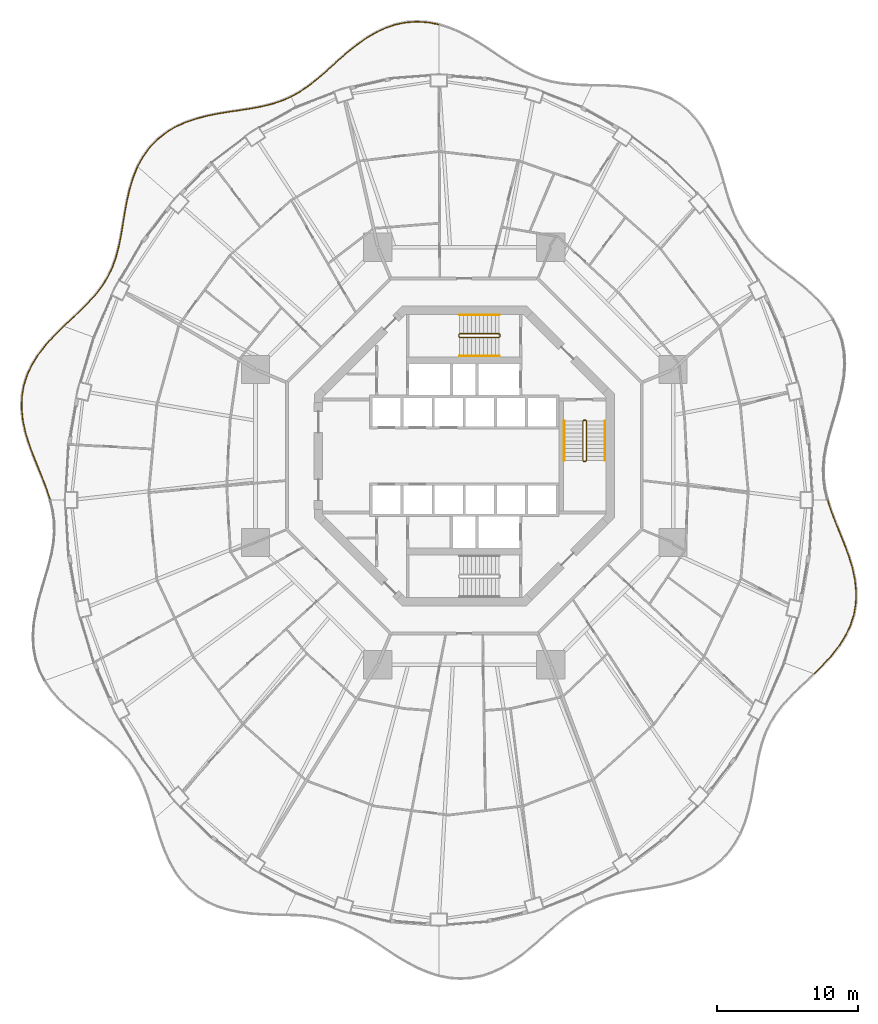
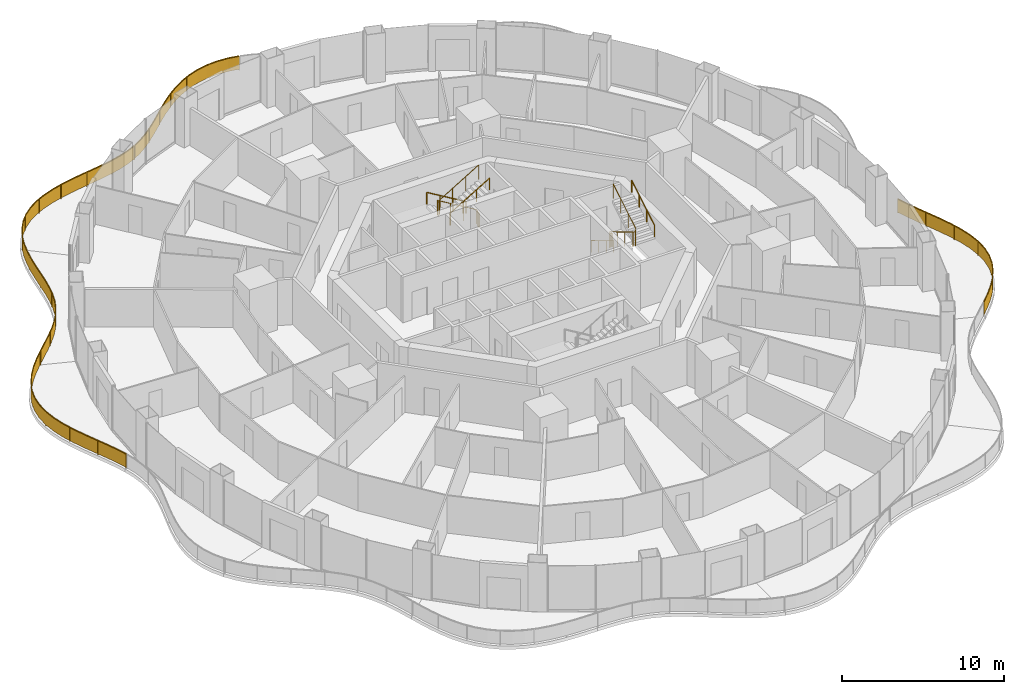
# One storey, part 20 of 21: 11 railings.
"""IFC4 building model written with IfcOpenShell, lengths in metres."""

from ifc_helpers import new_model, si_unit, direction, frame, origin, origin_2d, place, context, subcontext, project, spatial, polyline, rectangle, circle, outline, extrude, material, type_object, element, save


model = new_model("IFC4")

# Units and contexts
model_context = context("Model", 3, precision=1e-05, world=origin(), true_north=direction((0.0, 1.0)))
body_context = subcontext(model_context, "Body", "Model", "MODEL_VIEW")
ifc_project = project(units=[si_unit("LENGTHUNIT", "METRE"), si_unit("AREAUNIT", "SQUARE_METRE"), si_unit("VOLUMEUNIT", "CUBIC_METRE"), si_unit("PLANEANGLEUNIT", "RADIAN"), si_unit("MASSUNIT", "GRAM", prefix="KILO")], contexts=[model_context])

# Site, building, storey
site_placement = place(None, origin())
site = spatial("IfcSite", under=ifc_project, at=site_placement, CompositionType="ELEMENT")
building_placement = place(site_placement, origin())
building = spatial("IfcBuilding", under=site, at=building_placement, Name="Nagisa Residences", CompositionType="ELEMENT")
storey_placement = place(building_placement, frame((0.0, 0.0, 134.39990234375)))
storey = spatial("IfcBuildingStorey", under=building, at=storey_placement, Name="L33", CompositionType="ELEMENT", Elevation=134.39990234375)

# Railings
ifc_material_1 = material(Name="Stainless steel 316", Category="steel")
railing_type_1 = type_object("IfcRailingType", Name="BALCONY GUARD 1100", PredefinedType="BALUSTRADE", material=ifc_material_1)
railing_1_placement = place(storey_placement, frame((-1.837890625, 30.55859375, 0.0)))
element("IfcRailing", 1, at=railing_1_placement, inside=storey, type_object=railing_type_1, Name="guard:L33:bal04-0", PredefinedType="BALUSTRADE", context=body_context, shape_type="SweptSolid", body=[
    extrude(outline(polyline([(-0.7177734375, 0.115966796875), (-0.0048828125, -0.024658203125), (0.0048828125, 0.024658203125), (-0.71142578125, 0.165771484375), (-1.480224609375, 0.21826171875), (-2.245849609375, 0.169921875), (-3.000732421875, 0.020751953125), (-3.73681640625, -0.223876953125), (-4.434814453125, -0.55224609375), (-5.121826171875, -0.95703125), (-5.77978515625, -1.4189453125), (-6.409423828125, -1.920654296875), (-7.013916015625, -2.443115234375), (-7.58056640625, -2.962646484375), (-8.149658203125, -3.471923828125), (-8.712646484375, -3.950439453125), (-9.27734375, -4.386474609375), (-9.85302734375, -4.770751953125), (-10.41064453125, -5.079345703125), (-10.38623046875, -5.123291015625), (-9.8271484375, -4.813720703125), (-9.248046875, -4.427001953125), (-8.680908203125, -3.989501953125), (-8.116943359375, -3.509521484375), (-7.546875, -2.999755859375), (-6.980712890625, -2.480712890625), (-6.377685546875, -1.959228515625), (-5.75, -1.458984375), (-5.094482421875, -0.9990234375), (-4.411376953125, -0.5966796875), (-3.71826171875, -0.270263671875), (-2.988037109375, -0.027587890625), (-2.239501953125, 0.1201171875), (-1.480224609375, 0.16796875), (-0.7177734375, 0.115966796875)])), frame((0.0, 0.0, 1.050048828125)), (0.0, 0.0, 1.0), 0.050048828125),
    extrude(outline(polyline([(-0.715576171875, 0.134033203125), (-0.00146484375, -0.0068359375), (0.00146484375, 0.0068359375), (-0.713623046875, 0.147705078125), (-1.480224609375, 0.2001953125), (-2.24365234375, 0.15185546875), (-2.99609375, 0.00341796875), (-3.730224609375, -0.240478515625), (-4.42626953125, -0.568359375), (-5.112060546875, -0.97216796875), (-5.76904296875, -1.433349609375), (-6.39794921875, -1.9345703125), (-7.001953125, -2.456787109375), (-7.568359375, -2.97607421875), (-8.137939453125, -3.4853515625), (-8.701171875, -3.964599609375), (-9.266845703125, -4.401123046875), (-9.84375, -4.7861328125), (-10.40185546875, -5.09521484375), (-10.39501953125, -5.107421875), (-9.83642578125, -4.79833984375), (-9.258544921875, -4.412353515625), (-8.6923828125, -3.975341796875), (-8.128662109375, -3.49609375), (-7.55908203125, -2.986328125), (-6.99267578125, -2.467041015625), (-6.38916015625, -1.9453125), (-5.7607421875, -1.444580078125), (-5.104248046875, -0.98388671875), (-4.419921875, -0.58056640625), (-3.724853515625, -0.253662109375), (-2.99267578125, -0.01025390625), (-2.24169921875, 0.13818359375), (-1.480224609375, 0.18603515625), (-0.715576171875, 0.134033203125)])), frame((0.0, 0.0, 0.06005859375)), (0.0, 0.0, 1.0), 0.989990234375),
    extrude(rectangle(XDim=0.0400390625, YDim=0.0400390625, at=origin_2d()), origin(), (0.0, 0.0, 1.0), 1.050048828125),
    extrude(rectangle(XDim=0.0400390625, YDim=0.0400390625, at=origin_2d()), frame((-1.997802734375, 0.160400390625, 0.0)), (0.0, 0.0, 1.0), 1.050048828125),
    extrude(rectangle(XDim=0.0400390625, YDim=0.0400390625, at=origin_2d()), frame((-3.935791015625, -0.34521484375, 0.0)), (0.0, 0.0, 1.0), 1.050048828125),
    extrude(rectangle(XDim=0.0400390625, YDim=0.0400390625, at=origin_2d()), frame((-5.66552734375, -1.369140625, 0.0)), (0.0, 0.0, 1.0), 1.050048828125),
    extrude(rectangle(XDim=0.0400390625, YDim=0.0400390625, at=origin_2d()), frame((-7.211669921875, -2.658447265625, 0.0)), (0.0, 0.0, 1.0), 1.050048828125),
    extrude(rectangle(XDim=0.0400390625, YDim=0.0400390625, at=origin_2d()), frame((-8.722900390625, -3.989990234375, 0.0)), (0.0, 0.0, 1.0), 1.050048828125),
    extrude(rectangle(XDim=0.0400390625, YDim=0.0400390625, at=origin_2d()), frame((-10.3984375, -5.101318359375, 0.0)), (0.0, 0.0, 1.0), 1.050048828125),
])
railing_2_placement = place(storey_placement, frame((-12.2978515625, 25.4267578125, 0.0)))
element("IfcRailing", 2, at=railing_2_placement, inside=storey, type_object=railing_type_1, Name="guard:L33:bal05-0", PredefinedType="BALUSTRADE", context=body_context, shape_type="SweptSolid", body=[
    extrude(outline(polyline([(-0.597412109375, -0.288818359375), (0.010009765625, -0.02294921875), (-0.010009765625, 0.02294921875), (-0.615478515625, -0.241943359375), (-1.291748046875, -0.468017578125), (-2.0029296875, -0.646240234375), (-2.748779296875, -0.789306640625), (-3.524658203125, -0.912353515625), (-4.3095703125, -1.022705078125), (-5.121337890625, -1.156005859375), (-5.93310546875, -1.3203125), (-6.731201171875, -1.53076171875), (-7.500732421875, -1.80078125), (-8.216064453125, -2.12890625), (-8.88818359375, -2.543212890625), (-9.49462890625, -3.034423828125), (-10.02734375, -3.600830078125), (-10.48291015625, -4.236083984375), (-10.83740234375, -4.89013671875), (-10.79345703125, -4.9140625), (-10.4404296875, -4.262451171875), (-9.98876953125, -3.632568359375), (-9.46044921875, -3.071044921875), (-8.859375, -2.584228515625), (-8.192626953125, -2.17333984375), (-7.482177734375, -1.84716796875), (-6.716552734375, -1.57861328125), (-5.921875, -1.369140625), (-5.112548828125, -1.205322265625), (-4.30224609375, -1.072021484375), (-3.517333984375, -0.961669921875), (-2.739990234375, -0.838623046875), (-1.9921875, -0.695068359375), (-1.277587890625, -0.515869140625), (-0.597412109375, -0.288818359375)])), frame((0.0, 0.0, 1.050048828125)), (0.0, 0.0, 1.0), 0.050048828125),
    extrude(outline(polyline([(-0.60400390625, -0.27197265625), (0.002685546875, -0.00634765625), (-0.002685546875, 0.00634765625), (-0.60888671875, -0.2587890625), (-1.28662109375, -0.485107421875), (-1.9990234375, -0.663818359375), (-2.74560546875, -0.80712890625), (-3.52197265625, -0.93017578125), (-4.306884765625, -1.04052734375), (-5.1181640625, -1.173828125), (-5.92919921875, -1.337890625), (-6.725830078125, -1.548095703125), (-7.494140625, -1.8173828125), (-8.207763671875, -2.14501953125), (-8.8779296875, -2.55810546875), (-9.482421875, -3.047607421875), (-10.013427734375, -3.6123046875), (-10.467529296875, -4.24560546875), (-10.821533203125, -4.898681640625), (-10.809326171875, -4.905517578125), (-10.455810546875, -4.2529296875), (-10.002685546875, -3.62109375), (-9.47265625, -3.057861328125), (-8.86962890625, -2.5693359375), (-8.200927734375, -2.1572265625), (-7.48876953125, -1.83056640625), (-6.721923828125, -1.561279296875), (-5.92578125, -1.3515625), (-5.11572265625, -1.1875), (-4.304931640625, -1.05419921875), (-3.52001953125, -0.94384765625), (-2.7431640625, -0.82080078125), (-1.99609375, -0.677490234375), (-1.28271484375, -0.498779296875), (-0.60400390625, -0.27197265625)])), frame((0.0, 0.0, 0.06005859375)), (0.0, 0.0, 1.0), 0.989990234375),
    extrude(rectangle(XDim=0.0400390625, YDim=0.0400390625, at=origin_2d()), origin(), (0.0, 0.0, 1.0), 1.050048828125),
    extrude(rectangle(XDim=0.0400390625, YDim=0.0400390625, at=origin_2d()), frame((-1.950439453125, -0.658935546875, 0.0)), (0.0, 0.0, 1.0), 1.050048828125),
    extrude(rectangle(XDim=0.0400390625, YDim=0.0400390625, at=origin_2d()), frame((-3.984375, -1.002197265625, 0.0)), (0.0, 0.0, 1.0), 1.050048828125),
    extrude(rectangle(XDim=0.0400390625, YDim=0.0400390625, at=origin_2d()), frame((-6.014404296875, -1.36767578125, 0.0)), (0.0, 0.0, 1.0), 1.050048828125),
    extrude(rectangle(XDim=0.0400390625, YDim=0.0400390625, at=origin_2d()), frame((-7.960693359375, -2.039306640625, 0.0)), (0.0, 0.0, 1.0), 1.050048828125),
    extrude(rectangle(XDim=0.0400390625, YDim=0.0400390625, at=origin_2d()), frame((-9.636474609375, -3.2216796875, 0.0)), (0.0, 0.0, 1.0), 1.050048828125),
    extrude(rectangle(XDim=0.0400390625, YDim=0.0400390625, at=origin_2d()), frame((-10.8154296875, -4.902099609375, 0.0)), (0.0, 0.0, 1.0), 1.050048828125),
])
railing_3_placement = place(storey_placement, frame((-23.145751953125, 20.454345703125, 0.0)))
element("IfcRailing", 3, at=railing_3_placement, inside=storey, type_object=railing_type_1, Name="guard:L33:bal06-0", PredefinedType="BALUSTRADE", context=body_context, shape_type="SweptSolid", body=[
    extrude(outline(polyline([(-0.275634765625, -0.744873046875), (0.023193359375, -0.009521484375), (-0.023193359375, 0.009521484375), (-0.322998046875, -0.728271484375), (-0.572509765625, -1.546875), (-0.766357421875, -2.386962890625), (-0.922119140625, -3.232177734375), (-1.058837890625, -4.068115234375), (-1.188720703125, -4.86865234375), (-1.34814453125, -5.649169921875), (-1.54638671875, -6.391357421875), (-1.7978515625, -7.0927734375), (-2.11279296875, -7.753662109375), (-2.489990234375, -8.3662109375), (-2.94189453125, -8.963134765625), (-3.45654296875, -9.540771484375), (-4.02197265625, -10.109375), (-4.622314453125, -10.6787109375), (-5.206787109375, -11.22705078125), (-5.172607421875, -11.263671875), (-4.588134765625, -10.71533203125), (-3.98681640625, -10.14501953125), (-3.419921875, -9.574951171875), (-2.9033203125, -8.994873046875), (-2.448486328125, -8.39453125), (-2.06884765625, -7.777587890625), (-1.75146484375, -7.11181640625), (-1.49853515625, -6.406494140625), (-1.29931640625, -5.660888671875), (-1.139404296875, -4.87744140625), (-1.009521484375, -4.075927734375), (-0.872802734375, -3.240966796875), (-0.717529296875, -2.397216796875), (-0.524169921875, -1.56005859375), (-0.275634765625, -0.744873046875)])), frame((0.0, 0.0, 1.050048828125)), (0.0, 0.0, 1.0), 0.050048828125),
    extrude(outline(polyline([(-0.292724609375, -0.739013671875), (0.006591796875, -0.002685546875), (-0.006591796875, 0.002685546875), (-0.305908203125, -0.734130859375), (-0.55517578125, -1.5517578125), (-0.748779296875, -2.390625), (-0.904296875, -3.2353515625), (-1.041015625, -4.07080078125), (-1.1708984375, -4.871826171875), (-1.33056640625, -5.6533203125), (-1.529052734375, -6.396728515625), (-1.78125, -7.099609375), (-2.096923828125, -7.76220703125), (-2.47509765625, -8.37646484375), (-2.927978515625, -8.974609375), (-3.443359375, -9.552978515625), (-4.00927734375, -10.1220703125), (-4.610107421875, -10.69189453125), (-5.194580078125, -11.240234375), (-5.184814453125, -11.25048828125), (-4.600341796875, -10.7021484375), (-3.99951171875, -10.13232421875), (-3.43310546875, -9.562744140625), (-2.917236328125, -8.9833984375), (-2.46337890625, -8.38427734375), (-2.084716796875, -7.76904296875), (-1.76806640625, -7.10498046875), (-1.515869140625, -6.401123046875), (-1.31689453125, -5.65673828125), (-1.1572265625, -4.874267578125), (-1.02734375, -4.0732421875), (-0.890625, -3.23779296875), (-0.735107421875, -2.3935546875), (-0.54150390625, -1.55517578125), (-0.292724609375, -0.739013671875)])), frame((0.0, 0.0, 0.06005859375)), (0.0, 0.0, 1.0), 0.989990234375),
    extrude(rectangle(XDim=0.0400390625, YDim=0.0400390625, at=origin_2d()), origin(), (0.0, 0.0, 1.0), 1.050048828125),
    extrude(rectangle(XDim=0.0400390625, YDim=0.0400390625, at=origin_2d()), frame((-0.65576171875, -2.018310546875, 0.0)), (0.0, 0.0, 1.0), 1.050048828125),
    extrude(rectangle(XDim=0.0400390625, YDim=0.0400390625, at=origin_2d()), frame((-1.0400390625, -4.10888671875, 0.0)), (0.0, 0.0, 1.0), 1.050048828125),
    extrude(rectangle(XDim=0.0400390625, YDim=0.0400390625, at=origin_2d()), frame((-1.466796875, -6.190185546875, 0.0)), (0.0, 0.0, 1.0), 1.050048828125),
    extrude(rectangle(XDim=0.0400390625, YDim=0.0400390625, at=origin_2d()), frame((-2.315185546875, -8.130126953125, 0.0)), (0.0, 0.0, 1.0), 1.050048828125),
    extrude(rectangle(XDim=0.0400390625, YDim=0.0400390625, at=origin_2d()), frame((-3.654052734375, -9.77490234375, 0.0)), (0.0, 0.0, 1.0), 1.050048828125),
    extrude(rectangle(XDim=0.0400390625, YDim=0.0400390625, at=origin_2d()), frame((-5.189697265625, -11.245361328125, 0.0)), (0.0, 0.0, 1.0), 1.050048828125),
])
railing_4_placement = place(storey_placement, frame((-28.3916015625, 9.15673828125, 0.0)))
element("IfcRailing", 4, at=railing_4_placement, inside=storey, type_object=railing_type_1, Name="guard:L33:bal07-0", PredefinedType="BALUSTRADE", context=body_context, shape_type="SweptSolid", body=[
    extrude(outline(polyline([(-0.579345703125, -0.604248046875), (0.017578125, -0.017822265625), (-0.017578125, 0.017822265625), (-0.615478515625, -0.569580078125), (-1.210693359375, -1.219482421875), (-1.7490234375, -1.9033203125), (-2.2080078125, -2.623291015625), (-2.56982421875, -3.37890625), (-2.81884765625, -4.15283203125), (-2.954833984375, -4.96630859375), (-2.97607421875, -5.798095703125), (-2.8896484375, -6.64013671875), (-2.710205078125, -7.484375), (-2.45556640625, -8.3095703125), (-2.152587890625, -9.13720703125), (-1.8251953125, -9.94970703125), (-1.5, -10.7451171875), (-1.202392578125, -11.523681640625), (-0.966064453125, -12.248291015625), (-0.918701171875, -12.232666015625), (-1.155029296875, -11.507080078125), (-1.45361328125, -10.7265625), (-1.77880859375, -9.9306640625), (-2.105712890625, -9.119140625), (-2.408203125, -8.29345703125), (-2.661865234375, -7.4716796875), (-2.84033203125, -6.63232421875), (-2.92578125, -5.796142578125), (-2.905029296875, -4.97119140625), (-2.77001953125, -4.16455078125), (-2.5234375, -3.3974609375), (-2.1640625, -2.647705078125), (-1.7080078125, -1.93212890625), (-1.172607421875, -1.251708984375), (-0.579345703125, -0.604248046875)])), frame((0.0, 0.0, 1.050048828125)), (0.0, 0.0, 1.0), 0.050048828125),
    extrude(outline(polyline([(-0.59228515625, -0.591796875), (0.0048828125, -0.0048828125), (-0.0048828125, 0.0048828125), (-0.6025390625, -0.58203125), (-1.197021484375, -1.23095703125), (-1.734130859375, -1.91357421875), (-2.192138671875, -2.632080078125), (-2.55322265625, -3.385498046875), (-2.80126953125, -4.156982421875), (-2.93701171875, -4.968017578125), (-2.9580078125, -5.79736328125), (-2.871826171875, -6.63720703125), (-2.69287109375, -7.479736328125), (-2.4384765625, -8.3037109375), (-2.1357421875, -9.130615234375), (-1.80859375, -9.94287109375), (-1.4833984375, -10.738525390625), (-1.185302734375, -11.517822265625), (-0.948974609375, -12.24267578125), (-0.935791015625, -12.23828125), (-1.172119140625, -11.512939453125), (-1.47021484375, -10.733154296875), (-1.79541015625, -9.9375), (-2.12255859375, -9.125732421875), (-2.42529296875, -8.29931640625), (-2.67919921875, -7.476318359375), (-2.858154296875, -6.63525390625), (-2.94384765625, -5.796875), (-2.9228515625, -4.969482421875), (-2.78759765625, -4.160400390625), (-2.5400390625, -3.390869140625), (-2.179931640625, -2.638916015625), (-1.722900390625, -1.921875), (-1.186279296875, -1.240234375), (-0.59228515625, -0.591796875)])), frame((0.0, 0.0, 0.06005859375)), (0.0, 0.0, 1.0), 0.989990234375),
    extrude(rectangle(XDim=0.0400390625, YDim=0.0400390625, at=origin_2d()), origin(), (0.0, 0.0, 1.0), 1.050048828125),
    extrude(rectangle(XDim=0.0400390625, YDim=0.0400390625, at=origin_2d()), frame((-1.52197265625, -1.655517578125, 0.0)), (0.0, 0.0, 1.0), 1.050048828125),
    extrude(rectangle(XDim=0.0400390625, YDim=0.0400390625, at=origin_2d()), frame((-2.61767578125, -3.60888671875, 0.0)), (0.0, 0.0, 1.0), 1.050048828125),
    extrude(rectangle(XDim=0.0400390625, YDim=0.0400390625, at=origin_2d()), frame((-2.948486328125, -5.821044921875, 0.0)), (0.0, 0.0, 1.0), 1.050048828125),
    extrude(rectangle(XDim=0.0400390625, YDim=0.0400390625, at=origin_2d()), frame((-2.517578125, -8.02392578125, 0.0)), (0.0, 0.0, 1.0), 1.050048828125),
    extrude(rectangle(XDim=0.0400390625, YDim=0.0400390625, at=origin_2d()), frame((-1.724365234375, -10.130126953125, 0.0)), (0.0, 0.0, 1.0), 1.050048828125),
    extrude(rectangle(XDim=0.0400390625, YDim=0.0400390625, at=origin_2d()), frame((-0.9423828125, -12.240478515625, 0.0)), (0.0, 0.0, 1.0), 1.050048828125),
])
railing_5_placement = place(storey_placement, frame((24.791748046875, -15.39208984375, 0.0)))
element("IfcRailing", 5, at=railing_5_placement, inside=storey, type_object=railing_type_1, Name="guard:L33:bal15-0", PredefinedType="BALUSTRADE", context=body_context, shape_type="SweptSolid", body=[
    extrude(outline(polyline([(0.5791015625, 0.604248046875), (-0.017578125, 0.017822265625), (0.017578125, -0.017822265625), (0.615234375, 0.569580078125), (1.21044921875, 1.219482421875), (1.7490234375, 1.9033203125), (2.2080078125, 2.623291015625), (2.569580078125, 3.37890625), (2.818603515625, 4.15283203125), (2.954833984375, 4.966064453125), (2.97607421875, 5.798095703125), (2.8896484375, 6.64013671875), (2.710205078125, 7.484375), (2.45556640625, 8.3095703125), (2.15234375, 9.13720703125), (1.824951171875, 9.94970703125), (1.499755859375, 10.744873046875), (1.2021484375, 11.5234375), (0.9658203125, 12.248291015625), (0.91845703125, 12.232666015625), (1.15478515625, 11.5068359375), (1.453369140625, 10.726318359375), (1.778564453125, 9.9306640625), (2.10546875, 9.119140625), (2.408203125, 8.29345703125), (2.661865234375, 7.4716796875), (2.84033203125, 6.63232421875), (2.92578125, 5.796142578125), (2.905029296875, 4.970947265625), (2.769775390625, 4.16455078125), (2.523193359375, 3.3974609375), (2.1640625, 2.647705078125), (1.7080078125, 1.93212890625), (1.17236328125, 1.251708984375), (0.5791015625, 0.604248046875)])), frame((0.0, 0.0, 1.050048828125)), (0.0, 0.0, 1.0), 0.050048828125),
    extrude(outline(polyline([(0.592041015625, 0.591796875), (-0.0048828125, 0.0048828125), (0.0048828125, -0.0048828125), (0.602294921875, 0.58203125), (1.19677734375, 1.23095703125), (1.734130859375, 1.91357421875), (2.192138671875, 2.632080078125), (2.552978515625, 3.385498046875), (2.801025390625, 4.156982421875), (2.93701171875, 4.9677734375), (2.9580078125, 5.79736328125), (2.871826171875, 6.63720703125), (2.69287109375, 7.479736328125), (2.4384765625, 8.3037109375), (2.135498046875, 9.130615234375), (1.808349609375, 9.94287109375), (1.483154296875, 10.73828125), (1.18505859375, 11.517578125), (0.94873046875, 12.24267578125), (0.935546875, 12.23828125), (1.171875, 11.5126953125), (1.469970703125, 10.73291015625), (1.795166015625, 9.9375), (2.122314453125, 9.125732421875), (2.42529296875, 8.29931640625), (2.67919921875, 7.476318359375), (2.858154296875, 6.63525390625), (2.94384765625, 5.796875), (2.9228515625, 4.96923828125), (2.787353515625, 4.160400390625), (2.539794921875, 3.390869140625), (2.179931640625, 2.638916015625), (1.722900390625, 1.921875), (1.18603515625, 1.240234375), (0.592041015625, 0.591796875)])), frame((0.0, 0.0, 0.06005859375)), (0.0, 0.0, 1.0), 0.989990234375),
    extrude(rectangle(XDim=0.0400390625, YDim=0.0400390625, at=origin_2d()), origin(), (0.0, 0.0, 1.0), 1.050048828125),
    extrude(rectangle(XDim=0.0400390625, YDim=0.0400390625, at=origin_2d()), frame((1.52197265625, 1.655517578125, 0.0)), (0.0, 0.0, 1.0), 1.050048828125),
    extrude(rectangle(XDim=0.0400390625, YDim=0.0400390625, at=origin_2d()), frame((2.617431640625, 3.609130859375, 0.0)), (0.0, 0.0, 1.0), 1.050048828125),
    extrude(rectangle(XDim=0.0400390625, YDim=0.0400390625, at=origin_2d()), frame((2.948486328125, 5.821044921875, 0.0)), (0.0, 0.0, 1.0), 1.050048828125),
    extrude(rectangle(XDim=0.0400390625, YDim=0.0400390625, at=origin_2d()), frame((2.517578125, 8.024169921875, 0.0)), (0.0, 0.0, 1.0), 1.050048828125),
    extrude(rectangle(XDim=0.0400390625, YDim=0.0400390625, at=origin_2d()), frame((1.72412109375, 10.130126953125, 0.0)), (0.0, 0.0, 1.0), 1.050048828125),
    extrude(rectangle(XDim=0.0400390625, YDim=0.0400390625, at=origin_2d()), frame((0.942138671875, 12.240478515625, 0.0)), (0.0, 0.0, 1.0), 1.050048828125),
])
ifc_material_2 = material(Name="Stainless steel", Category="steel")
railing_type_2 = type_object("IfcRailingType", Name="Stair guard 1100", PredefinedType="GUARDRAIL", material=ifc_material_2)
railing_6_placement = place(storey_placement, frame((8.599609375, 2.52490234375, 0.0)))
element("IfcRailing", 6, at=railing_6_placement, inside=storey, type_object=railing_type_2, Name="L33 ST-E stair guard 1", PredefinedType="GUARDRAIL", context=body_context, shape_type="SweptSolid", body=[
    extrude(circle(Radius=0.02392578125, at=origin_2d()), frame((0.0, 0.0, 1.076171875), z_axis=(-1.0, 0.0, 0.0), x_axis=(0.0, -1.0, 0.0)), (0.0, 0.0, 1.0), 0.14990234375),
    extrude(circle(Radius=0.02392578125, at=origin_2d()), frame((-0.14990234375, 0.0, 1.076171875), z_axis=(-0.27434429532, -0.273006030465, 0.922064485248), x_axis=(0.705375805398, -0.708833529934, 0.0)), (0.0, 0.0, 1.0), 0.182373046875),
    extrude(circle(Radius=0.02392578125, at=origin_2d()), frame((-0.199951171875, -0.0498046875, 1.244140625), z_axis=(0.0, -0.857242210791, 0.514913383045), x_axis=(1.0, 0.0, 0.0)), (0.0, 0.0, 1.0), 3.266357421875),
    extrude(circle(Radius=0.02392578125, at=origin_2d()), frame((-0.199951171875, -2.849853515625, 2.92626953125), z_axis=(0.707106781187, -0.707106781187, 0.0), x_axis=(0.707106781187, 0.707106781187, 0.0)), (0.0, 0.0, 1.0), 0.07080078125),
    extrude(circle(Radius=0.02392578125, at=origin_2d()), frame((-0.14990234375, -2.89990234375, 2.92626953125), z_axis=(1.0, 0.0, 0.0), x_axis=(0.0, 1.0, 0.0)), (0.0, 0.0, 1.0), 0.14990234375),
    extrude(circle(Radius=0.02392578125, at=origin_2d()), frame((0.0, -2.89990234375, 2.92626953125), z_axis=(0.274243871929, 0.274243871929, 0.92172696468), x_axis=(-0.707106781187, 0.707106781187, 0.0)), (0.0, 0.0, 1.0), 0.1826171875),
    extrude(circle(Radius=0.02392578125, at=origin_2d()), frame((0.050048828125, -2.849853515625, 3.09423828125), z_axis=(0.0, 0.857242210791, 0.514913383045), x_axis=(-1.0, 0.0, 0.0)), (0.0, 0.0, 1.0), 3.266357421875),
    extrude(circle(Radius=0.02099609375, at=origin_2d()), origin(), (0.0, 0.0, 1.0), 1.052001953125),
    extrude(circle(Radius=0.02099609375, at=origin_2d()), frame((-0.14990234375, 0.0, 0.0)), (0.0, 0.0, 1.0), 1.052001953125),
    extrude(circle(Radius=0.02099609375, at=origin_2d()), frame((-0.199951171875, -0.0498046875, 0.168212890625)), (0.0, 0.0, 1.0), 1.052001953125),
    extrude(circle(Radius=0.02099609375, at=origin_2d()), frame((-0.199951171875, -0.983154296875, 0.728759765625)), (0.0, 0.0, 1.0), 1.052001953125),
    extrude(circle(Radius=0.02099609375, at=origin_2d()), frame((-0.199951171875, -1.91650390625, 1.28955078125)), (0.0, 0.0, 1.0), 1.052001953125),
    extrude(circle(Radius=0.02099609375, at=origin_2d()), frame((-0.199951171875, -2.849853515625, 1.85009765625)), (0.0, 0.0, 1.0), 1.052001953125),
    extrude(circle(Radius=0.02099609375, at=origin_2d()), frame((-0.14990234375, -2.89990234375, 1.85009765625)), (0.0, 0.0, 1.0), 1.052001953125),
    extrude(circle(Radius=0.02099609375, at=origin_2d()), frame((0.0, -2.89990234375, 1.85009765625)), (0.0, 0.0, 1.0), 1.052001953125),
    extrude(circle(Radius=0.02099609375, at=origin_2d()), frame((0.050048828125, -2.849853515625, 2.018310546875)), (0.0, 0.0, 1.0), 1.052001953125),
    extrude(circle(Radius=0.02099609375, at=origin_2d()), frame((0.050048828125, -1.91650390625, 2.578857421875)), (0.0, 0.0, 1.0), 1.052001953125),
    extrude(circle(Radius=0.02099609375, at=origin_2d()), frame((0.050048828125, -0.983154296875, 3.1396484375)), (0.0, 0.0, 1.0), 1.052001953125),
    extrude(circle(Radius=0.02099609375, at=origin_2d()), frame((0.050048828125, -0.0498046875, 3.7001953125)), (0.0, 0.0, 1.0), 1.052001953125),
])
railing_7_placement = place(storey_placement, frame((2.52490234375, 8.44970703125, 0.0)))
element("IfcRailing", 7, at=railing_7_placement, inside=storey, type_object=railing_type_2, Name="L33 ST-N stair guard 1", PredefinedType="GUARDRAIL", context=body_context, shape_type="SweptSolid", body=[
    extrude(circle(Radius=0.02392578125, at=origin_2d()), frame((0.0, 0.0, 1.076171875), z_axis=(0.0, 1.0, 0.0), x_axis=(-1.0, 0.0, 0.0)), (0.0, 0.0, 1.0), 0.14990234375),
    extrude(circle(Radius=0.02392578125, at=origin_2d()), frame((0.0, 0.14990234375, 1.076171875), z_axis=(-0.273006030465, 0.27434429532, 0.922064485248), x_axis=(-0.708833529934, -0.705375805398, 0.0)), (0.0, 0.0, 1.0), 0.182373046875),
    extrude(circle(Radius=0.02392578125, at=origin_2d()), frame((-0.0498046875, 0.199951171875, 1.244140625), z_axis=(-0.857242210791, 0.0, 0.514913383045), x_axis=(0.0, -1.0, 0.0)), (0.0, 0.0, 1.0), 3.266357421875),
    extrude(circle(Radius=0.02392578125, at=origin_2d()), frame((-2.849853515625, 0.199951171875, 2.92626953125), z_axis=(-0.707106781187, -0.707106781187, 0.0), x_axis=(0.707106781187, -0.707106781187, 0.0)), (0.0, 0.0, 1.0), 0.07080078125),
    extrude(circle(Radius=0.02392578125, at=origin_2d()), frame((-2.89990234375, 0.14990234375, 2.92626953125), z_axis=(0.0, -1.0, 0.0), x_axis=(1.0, 0.0, 0.0)), (0.0, 0.0, 1.0), 0.14990234375),
    extrude(circle(Radius=0.02392578125, at=origin_2d()), frame((-2.89990234375, 0.0, 2.92626953125), z_axis=(0.274243871929, -0.274243871929, 0.92172696468), x_axis=(0.707106781187, 0.707106781187, 0.0)), (0.0, 0.0, 1.0), 0.1826171875),
    extrude(circle(Radius=0.02392578125, at=origin_2d()), frame((-2.849853515625, -0.050048828125, 3.09423828125), z_axis=(0.857242210791, 0.0, 0.514913383045), x_axis=(0.0, 1.0, 0.0)), (0.0, 0.0, 1.0), 3.266357421875),
    extrude(circle(Radius=0.02099609375, at=origin_2d()), origin(), (0.0, 0.0, 1.0), 1.052001953125),
    extrude(circle(Radius=0.02099609375, at=origin_2d()), frame((0.0, 0.14990234375, 0.0)), (0.0, 0.0, 1.0), 1.052001953125),
    extrude(circle(Radius=0.02099609375, at=origin_2d()), frame((-0.0498046875, 0.199951171875, 0.168212890625)), (0.0, 0.0, 1.0), 1.052001953125),
    extrude(circle(Radius=0.02099609375, at=origin_2d()), frame((-0.983154296875, 0.199951171875, 0.728759765625)), (0.0, 0.0, 1.0), 1.052001953125),
    extrude(circle(Radius=0.02099609375, at=origin_2d()), frame((-1.91650390625, 0.199951171875, 1.28955078125)), (0.0, 0.0, 1.0), 1.052001953125),
    extrude(circle(Radius=0.02099609375, at=origin_2d()), frame((-2.849853515625, 0.199951171875, 1.85009765625)), (0.0, 0.0, 1.0), 1.052001953125),
    extrude(circle(Radius=0.02099609375, at=origin_2d()), frame((-2.89990234375, 0.14990234375, 1.85009765625)), (0.0, 0.0, 1.0), 1.052001953125),
    extrude(circle(Radius=0.02099609375, at=origin_2d()), frame((-2.89990234375, 0.0, 1.85009765625)), (0.0, 0.0, 1.0), 1.052001953125),
    extrude(circle(Radius=0.02099609375, at=origin_2d()), frame((-2.849853515625, -0.050048828125, 2.018310546875)), (0.0, 0.0, 1.0), 1.052001953125),
    extrude(circle(Radius=0.02099609375, at=origin_2d()), frame((-1.91650390625, -0.050048828125, 2.578857421875)), (0.0, 0.0, 1.0), 1.052001953125),
    extrude(circle(Radius=0.02099609375, at=origin_2d()), frame((-0.983154296875, -0.050048828125, 3.1396484375)), (0.0, 0.0, 1.0), 1.052001953125),
    extrude(circle(Radius=0.02099609375, at=origin_2d()), frame((-0.0498046875, -0.050048828125, 3.7001953125)), (0.0, 0.0, 1.0), 1.052001953125),
])
ifc_material_3 = material(Name="Stainless steel", Category="steel")
railing_type_3 = type_object("IfcRailingType", Name="Stair handrail 900", PredefinedType="HANDRAIL", material=ifc_material_3)
railing_8_placement = place(storey_placement, frame((7.07470703125, 2.47509765625, 0.168212890625)))
element("IfcRailing", 8, at=railing_8_placement, inside=storey, type_object=railing_type_3, Name="L33 ST-E stair handrail 1", PredefinedType="HANDRAIL", context=body_context, shape_type="SweptSolid", body=[
    extrude(circle(Radius=0.02392578125, at=origin_2d()), frame((0.0, 0.0, 0.8759765625), z_axis=(0.0, -0.857242210791, 0.514913383045), x_axis=(1.0, 0.0, 0.0)), (0.0, 0.0, 1.0), 3.266357421875),
    extrude(circle(Radius=0.02099609375, at=origin_2d()), origin(), (0.0, 0.0, 1.0), 0.851806640625),
    extrude(circle(Radius=0.02099609375, at=origin_2d()), frame((0.0, -0.933349609375, 0.560546875)), (0.0, 0.0, 1.0), 0.851806640625),
    extrude(circle(Radius=0.02099609375, at=origin_2d()), frame((0.0, -1.86669921875, 1.121337890625)), (0.0, 0.0, 1.0), 0.851806640625),
    extrude(circle(Radius=0.02099609375, at=origin_2d()), frame((0.0, -2.800048828125, 1.681884765625)), (0.0, 0.0, 1.0), 0.851806640625),
])
railing_9_placement = place(storey_placement, frame((9.974609375, -0.324951171875, 2.018310546875)))
element("IfcRailing", 9, at=railing_9_placement, inside=storey, type_object=railing_type_3, Name="L33 ST-E stair handrail 2", PredefinedType="HANDRAIL", context=body_context, shape_type="SweptSolid", body=[
    extrude(circle(Radius=0.02392578125, at=origin_2d()), frame((0.0, 0.0, 0.8759765625), z_axis=(0.0, 0.857242210791, 0.514913383045), x_axis=(-1.0, 0.0, 0.0)), (0.0, 0.0, 1.0), 3.266357421875),
    extrude(circle(Radius=0.02099609375, at=origin_2d()), origin(), (0.0, 0.0, 1.0), 0.851806640625),
    extrude(circle(Radius=0.02099609375, at=origin_2d()), frame((0.0, 0.933349609375, 0.560546875)), (0.0, 0.0, 1.0), 0.851806640625),
    extrude(circle(Radius=0.02099609375, at=origin_2d()), frame((0.0, 1.86669921875, 1.121337890625)), (0.0, 0.0, 1.0), 0.851806640625),
    extrude(circle(Radius=0.02099609375, at=origin_2d()), frame((0.0, 2.800048828125, 1.681884765625)), (0.0, 0.0, 1.0), 0.851806640625),
])
railing_10_placement = place(storey_placement, frame((2.47509765625, 9.974609375, 0.168212890625)))
element("IfcRailing", 10, at=railing_10_placement, inside=storey, type_object=railing_type_3, Name="L33 ST-N stair handrail 1", PredefinedType="HANDRAIL", context=body_context, shape_type="SweptSolid", body=[
    extrude(circle(Radius=0.02392578125, at=origin_2d()), frame((0.0, 0.0, 0.8759765625), z_axis=(-0.857242210791, 0.0, 0.514913383045), x_axis=(0.0, -1.0, 0.0)), (0.0, 0.0, 1.0), 3.266357421875),
    extrude(circle(Radius=0.02099609375, at=origin_2d()), origin(), (0.0, 0.0, 1.0), 0.851806640625),
    extrude(circle(Radius=0.02099609375, at=origin_2d()), frame((-0.933349609375, 0.0, 0.560546875)), (0.0, 0.0, 1.0), 0.851806640625),
    extrude(circle(Radius=0.02099609375, at=origin_2d()), frame((-1.86669921875, 0.0, 1.121337890625)), (0.0, 0.0, 1.0), 0.851806640625),
    extrude(circle(Radius=0.02099609375, at=origin_2d()), frame((-2.800048828125, 0.0, 1.681884765625)), (0.0, 0.0, 1.0), 0.851806640625),
])
railing_11_placement = place(storey_placement, frame((-0.324951171875, 7.07470703125, 2.018310546875)))
element("IfcRailing", 11, at=railing_11_placement, inside=storey, type_object=railing_type_3, Name="L33 ST-N stair handrail 2", PredefinedType="HANDRAIL", context=body_context, shape_type="SweptSolid", body=[
    extrude(circle(Radius=0.02392578125, at=origin_2d()), frame((0.0, 0.0, 0.8759765625), z_axis=(0.857242210791, 0.0, 0.514913383045), x_axis=(0.0, 1.0, 0.0)), (0.0, 0.0, 1.0), 3.266357421875),
    extrude(circle(Radius=0.02099609375, at=origin_2d()), origin(), (0.0, 0.0, 1.0), 0.851806640625),
    extrude(circle(Radius=0.02099609375, at=origin_2d()), frame((0.933349609375, 0.0, 0.560546875)), (0.0, 0.0, 1.0), 0.851806640625),
    extrude(circle(Radius=0.02099609375, at=origin_2d()), frame((1.86669921875, 0.0, 1.121337890625)), (0.0, 0.0, 1.0), 0.851806640625),
    extrude(circle(Radius=0.02099609375, at=origin_2d()), frame((2.800048828125, 0.0, 1.681884765625)), (0.0, 0.0, 1.0), 0.851806640625),
])

save(model, "model.ifc")
